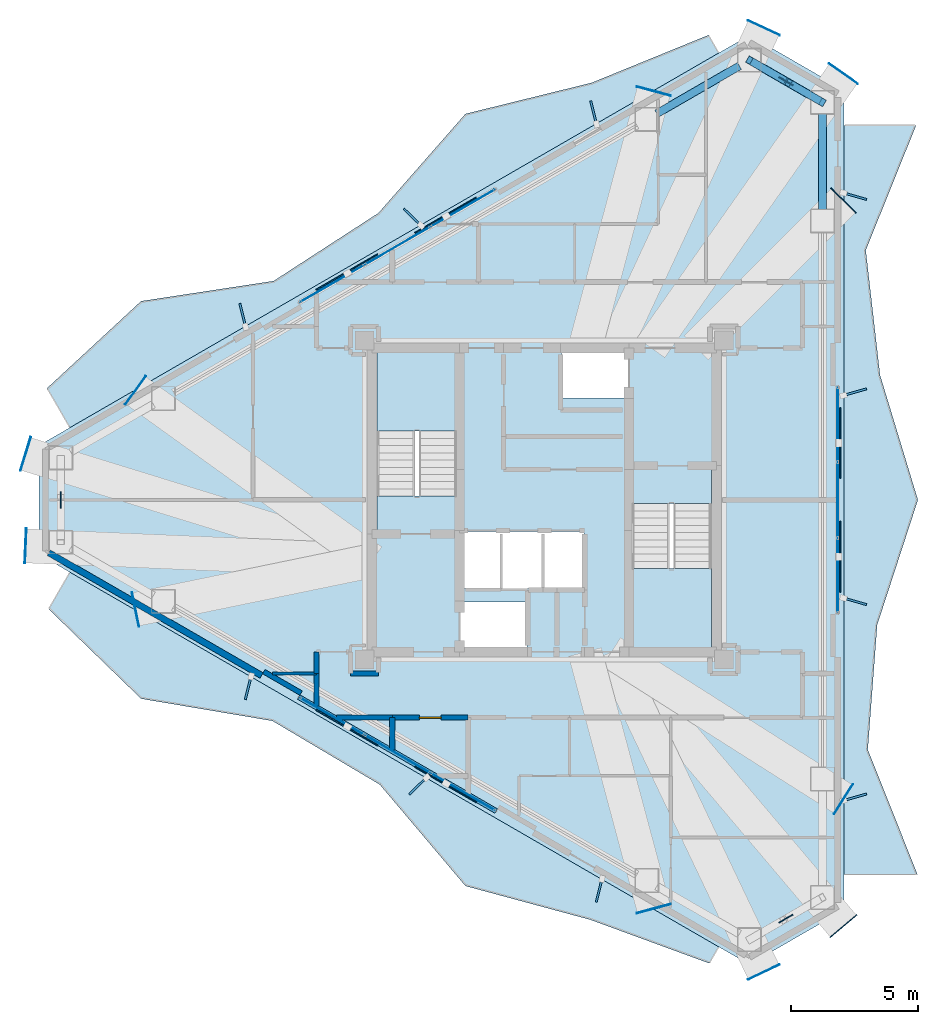
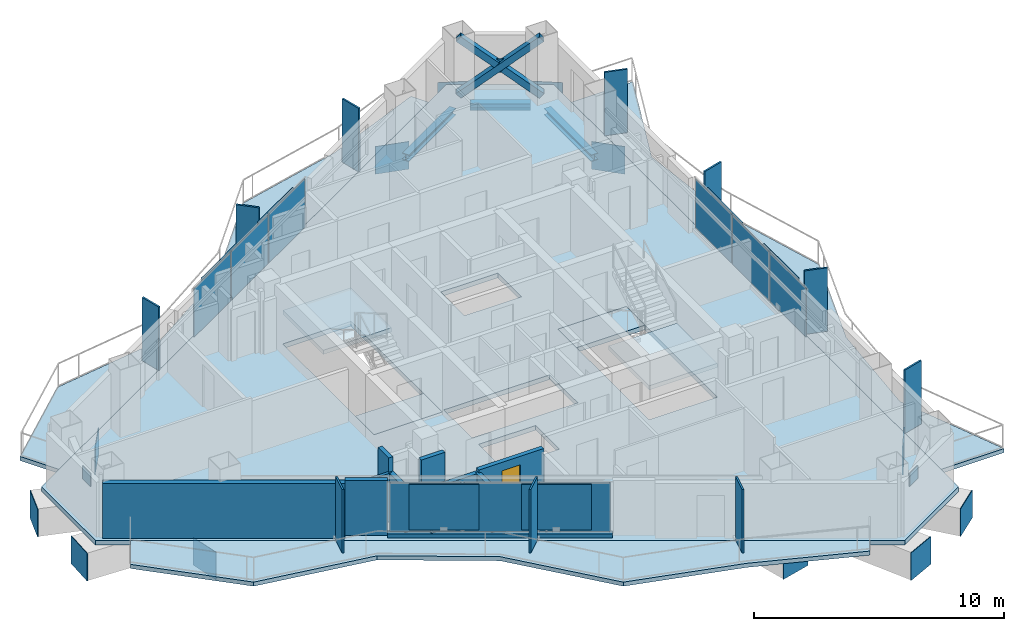
# One storey, part 13 of 19: 40 plates, 10 walls, 8 slabs, 3 beams, 3 members, 1 door, 1 opening, 5 elements without a shape of their own.
"""IFC4 building model written with IfcOpenShell, lengths in metres."""

import ifcopenshell
import ifcopenshell.guid

model = None  # the IFC model being written
_history = None  # IfcOwnerHistory: only IFC2X3 demands one
_inside = {}  # id of a spatial element -> (the spatial element, [elements in it])
_under = {}  # id of a project, library or spatial element -> (it, [spatial elements below it])
_declared = {}  # id of a project -> (the project, [libraries it declares])
_typed = {}  # id of a type object -> (the type object, [elements of that type])
_made_of = {}  # id of a material, layer set ... -> (it, [elements and type objects made of it])


def new_model(schema):
    """Start an empty IFC model of exactly this schema.

    Asked for "IFC4X3", IfcOpenShell would pick the latest addendum, in which some entities
    have other attributes; the version numbers below select the first issue.
    IFC2X3 requires an IfcOwnerHistory on every rooted entity: one is made here for all.
    """
    global model, _history
    if schema == "IFC4X3":
        model = ifcopenshell.file(schema_version=(4, 3, 0, 0))
    else:
        model = ifcopenshell.file(schema=schema)
    _inside.clear()
    _under.clear()
    _declared.clear()
    _typed.clear()
    _made_of.clear()
    _history = None
    if model.schema == "IFC2X3":
        org = make("IfcOrganization", Name="unknown")
        user = make(
            "IfcPersonAndOrganization",
            ThePerson=make("IfcPerson", FamilyName="unknown"),
            TheOrganization=org,
        )
        app = make(
            "IfcApplication",
            ApplicationDeveloper=org,
            Version="unknown",
            ApplicationFullName="unknown",
            ApplicationIdentifier="unknown",
        )
        _history = make(
            "IfcOwnerHistory",
            OwningUser=user,
            OwningApplication=app,
            ChangeAction="ADDED",
            CreationDate=0,
        )
    return model


def make(cls, **values):
    """One entity of the class cls with the attributes given. An attribute that is None is left unset."""
    return model.create_entity(
        cls, **{name: value for name, value in values.items() if value is not None}
    )


def rooted(cls, **values):
    """An entity with a GlobalId (a new one), such as an element, a storey or a relation."""
    return make(cls, GlobalId=ifcopenshell.guid.new(), OwnerHistory=_history, **values)


def si_unit(unit_type, name, prefix=None):
    """IfcSIUnit, for example si_unit("LENGTHUNIT", "METRE", prefix="MILLI")."""
    return make("IfcSIUnit", UnitType=unit_type, Prefix=prefix, Name=name)


def assignment(units):
    """IfcUnitAssignment: the units of a project."""
    return None if units is None else make("IfcUnitAssignment", Units=units)


def point(xyz):
    """IfcCartesianPoint."""
    return None if xyz is None else make("IfcCartesianPoint", Coordinates=xyz)


def direction(xyz):
    """IfcDirection."""
    return None if xyz is None else make("IfcDirection", DirectionRatios=xyz)


def frame(location, z_axis=None, x_axis=None):
    """IfcAxis2Placement3D, a coordinate frame: its origin and axes. An axis left out is left unset."""
    return make(
        "IfcAxis2Placement3D",
        Location=point(location),
        Axis=direction(z_axis),
        RefDirection=direction(x_axis),
    )


def frame_2d(location, x_axis=None):
    """IfcAxis2Placement2D, a coordinate frame in the plane: its origin and x axis."""
    return make(
        "IfcAxis2Placement2D", Location=point(location), RefDirection=direction(x_axis)
    )


def origin():
    """The frame at (0, 0, 0) with its axes left unset."""
    return frame((0.0, 0.0, 0.0))


def origin_2d():
    """The frame at (0, 0) in the plane with its x axis left unset."""
    return frame_2d((0.0, 0.0))


def place(relative_to, where):
    """IfcLocalPlacement: puts the frame where relative to a parent placement (None: the world)."""
    return make(
        "IfcLocalPlacement", PlacementRelTo=relative_to, RelativePlacement=where
    )


def context(
    kind, dimensions, precision=None, world=None, true_north=None, identifier=None
):
    """IfcGeometricRepresentationContext, for example the 3D "Model" context."""
    return make(
        "IfcGeometricRepresentationContext",
        ContextIdentifier=identifier,
        ContextType=kind,
        CoordinateSpaceDimension=dimensions,
        Precision=precision,
        WorldCoordinateSystem=world,
        TrueNorth=true_north,
    )


def subcontext(parent, identifier, kind, view, scale=None):
    """IfcGeometricRepresentationSubContext, for example "Body" below "Model"."""
    return make(
        "IfcGeometricRepresentationSubContext",
        ContextIdentifier=identifier,
        ContextType=kind,
        ParentContext=parent,
        TargetScale=scale,
        TargetView=view,
    )


def project(units=None, contexts=None):
    """IfcProject with its units and contexts."""
    return rooted(
        "IfcProject",
        Name="project",
        RepresentationContexts=contexts,
        UnitsInContext=assignment(units),
    )


def spatial(cls, under=None, at=None, **own):
    """A site, building, storey or space (cls), placed at a placement, below another one or the project."""
    s = rooted(cls, ObjectPlacement=at, **own)
    if under is not None:
        _under.setdefault(under.id(), (under, []))[1].append(s)
    return s


def polyline(points):
    """IfcPolyline through the points."""
    return make("IfcPolyline", Points=[point(p) for p in points])


def profile(cls, at=None, kind="AREA", **sizes):
    """A parametric profile (cls). Its sizes go by their IFC names, for example OverallWidth=200.0."""
    return make(cls, ProfileType=kind, Position=at, **sizes)


def rectangle(**sizes):
    """IfcRectangleProfileDef."""
    return profile("IfcRectangleProfileDef", **sizes)


def hollow_rectangle(**sizes):
    """IfcRectangleHollowProfileDef."""
    return profile("IfcRectangleHollowProfileDef", **sizes)


def i_section(**sizes):
    """IfcIShapeProfileDef."""
    return profile("IfcIShapeProfileDef", **sizes)


def outline(outer, holes=None, kind="AREA"):
    """IfcArbitraryClosedProfileDef: a profile drawn as a closed curve; with holes, ...WithVoids."""
    if holes is None:
        return make("IfcArbitraryClosedProfileDef", ProfileType=kind, OuterCurve=outer)
    return make(
        "IfcArbitraryProfileDefWithVoids",
        ProfileType=kind,
        OuterCurve=outer,
        InnerCurves=holes,
    )


def extrude(swept, where, along, depth):
    """IfcExtrudedAreaSolid: the profile swept, set in the frame where, extruded along a direction by depth."""
    return make(
        "IfcExtrudedAreaSolid",
        SweptArea=swept,
        Position=where,
        ExtrudedDirection=direction(along),
        Depth=depth,
    )


def shape(context_of_items, identifier, shape_type, items):
    """IfcShapeRepresentation: the items that make up one representation, for example the "Body"."""
    return make(
        "IfcShapeRepresentation",
        ContextOfItems=context_of_items,
        RepresentationIdentifier=identifier,
        RepresentationType=shape_type,
        Items=items,
    )


def material(Name=None, Category=None):
    """IfcMaterial."""
    return make("IfcMaterial", Name=Name, Category=Category)


def layer(
    of_material, thickness, ventilated=None, Name=None, Category=None, Priority=None
):
    """IfcMaterialLayer: one layer of a wall or slab, of a material (None: an air gap)."""
    return make(
        "IfcMaterialLayer",
        Material=of_material,
        LayerThickness=thickness,
        IsVentilated=ventilated,
        Name=Name,
        Category=Category,
        Priority=Priority,
    )


def layer_set(layers, Name=None):
    """IfcMaterialLayerSet."""
    return make("IfcMaterialLayerSet", MaterialLayers=layers, LayerSetName=Name)


def material_profile(
    of_material, cross_section, Name=None, Category=None, Priority=None
):
    """IfcMaterialProfile: a cross section and its material."""
    return make(
        "IfcMaterialProfile",
        Name=Name,
        Material=of_material,
        Profile=cross_section,
        Priority=Priority,
        Category=Category,
    )


def profile_set(profiles, Name=None, composite=None):
    """IfcMaterialProfileSet."""
    return make(
        "IfcMaterialProfileSet",
        Name=Name,
        MaterialProfiles=profiles,
        CompositeProfile=composite,
    )


def made_of(thing, what):
    """Note that an element or type object is made of a material, layer set ...; save() writes the relation."""
    if what is not None:
        _made_of.setdefault(what.id(), (what, []))[1].append(thing)
    return thing


def type_object(cls, material=None, **own):
    """A type object (cls), such as IfcWallType, which elements share."""
    return made_of(rooted(cls, **own), material)


def element(
    cls,
    number,
    at=None,
    inside=None,
    cuts=None,
    type_object=None,
    material=None,
    context=None,
    identifier="Body",
    shape_type=None,
    held_by="IfcProductDefinitionShape",
    body=None,
    shapes=None,
    **own,
):
    """One element of the class cls, such as IfcWall. Its Tag is "e" and its number.

    at: its placement. inside: the storey or other place that contains it. cuts: it is an
    opening in that element (IfcRelVoidsElement). A single representation is given by context,
    identifier, shape_type and body (its items); several are given by shapes. held_by: the class
    of the entity that holds the representations. save() writes the other relations.
    """
    e = rooted(cls, Tag="e%d" % number, ObjectPlacement=at, **own)
    if body is not None:
        shapes = [shape(context, identifier, shape_type, body)]
    if shapes is not None:
        e.Representation = make(held_by, Representations=shapes)
    if inside is not None:
        _inside.setdefault(inside.id(), (inside, []))[1].append(e)
    if cuts is not None:
        rooted(
            "IfcRelVoidsElement", RelatingBuildingElement=cuts, RelatedOpeningElement=e
        )
    if type_object is not None:
        _typed.setdefault(type_object.id(), (type_object, []))[1].append(e)
    return made_of(e, material)


def fill(opening, filler):
    """IfcRelFillsElement: the door or window that sits in an opening."""
    return rooted(
        "IfcRelFillsElement",
        RelatingOpeningElement=opening,
        RelatedBuildingElement=filler,
    )


def aggregate(whole, parts):
    """IfcRelAggregates: a whole, such as a stair, and the parts it consists of."""
    return rooted("IfcRelAggregates", RelatingObject=whole, RelatedObjects=parts)


def save(model, path):
    """Write the relations noted so far, then the file.

    IfcRelAggregates (storeys below a building ...), IfcRelContainedInSpatialStructure (elements
    in a storey), IfcRelDefinesByType, IfcRelAssociatesMaterial and IfcRelDeclares: one each for
    every whole, place, type object, material and project.
    """
    for whole, parts in _under.values():
        aggregate(whole, parts)
    for where, things in _inside.values():
        rooted(
            "IfcRelContainedInSpatialStructure",
            RelatedElements=things,
            RelatingStructure=where,
        )
    for kind, things in _typed.values():
        rooted("IfcRelDefinesByType", RelatedObjects=things, RelatingType=kind)
    for what, things in _made_of.values():
        rooted("IfcRelAssociatesMaterial", RelatedObjects=things, RelatingMaterial=what)
    for by, libraries in _declared.values():
        rooted("IfcRelDeclares", RelatingContext=by, RelatedDefinitions=libraries)
    model.write(path)


model = new_model("IFC4")

# Units and contexts
model_context = context("Model", 3, precision=1e-05, world=origin(), true_north=direction((0.0, 1.0)))
body_context = subcontext(model_context, "Body", "Model", "MODEL_VIEW")
ifc_project = project(units=[si_unit("LENGTHUNIT", "METRE"), si_unit("AREAUNIT", "SQUARE_METRE"), si_unit("VOLUMEUNIT", "CUBIC_METRE"), si_unit("PLANEANGLEUNIT", "RADIAN"), si_unit("MASSUNIT", "GRAM", prefix="KILO")], contexts=[model_context])

# Site, building, storey
site_placement = place(None, origin())
site = spatial("IfcSite", under=ifc_project, at=site_placement, CompositionType="ELEMENT")
building_placement = place(site_placement, origin())
building = spatial("IfcBuilding", under=site, at=building_placement, Name="Mersakhor Tower and Convention Hall", CompositionType="ELEMENT")
storey_placement = place(building_placement, frame((0.0, 0.0, 175.5)))
storey = spatial("IfcBuildingStorey", under=building, at=storey_placement, Name="L48", CompositionType="ELEMENT", Elevation=175.5)

# Beams
ifc_material_1 = material(Name="Steel S355", Category="steel")
ifc_material_profile_1 = material_profile(ifc_material_1, i_section(OverallWidth=0.30908203125, OverallDepth=0.320556640625, WebThickness=0.013916015625, FlangeThickness=0.021728515625, at=origin_2d()), Name="UC 305x305x137")
ifc_profile_set_1 = profile_set([ifc_material_profile_1], Name="Steel S355")
beam_type = type_object("IfcBeamType", Name="BM-SPD-UC305", PredefinedType="SPANDREL", material=ifc_profile_set_1)
beam_1_placement = place(storey_placement, frame((33.44580078125, 42.005126953125, -0.39013671875), z_axis=(0.866046450459, 0.499963544319, 0.0), x_axis=(-0.499963544319, 0.866046450459, 0.0)))
element("IfcBeam", 1, at=beam_1_placement, inside=storey, type_object=beam_type, Name="L48 Perimeter Spandrel Beam SPB-03", PredefinedType="SPANDREL", context=body_context, shape_type="SweptSolid", body=[
    extrude(i_section(OverallWidth=0.30908203125, OverallDepth=0.320556640625, WebThickness=0.013916015625, FlangeThickness=0.021728515625, at=origin_2d()), origin(), (0.0, 0.0, 1.0), 3.769287109375),
])
beam_2_placement = place(storey_placement, frame((37.498046875, 43.8896484375, -0.39013671875), z_axis=(0.86605626798, -0.499946537834, 0.0), x_axis=(0.499946537834, 0.86605626798, 0.0)))
element("IfcBeam", 2, at=beam_2_placement, inside=storey, type_object=beam_type, Name="L48 Perimeter Spandrel Beam SPB-04", PredefinedType="SPANDREL", context=body_context, shape_type="SweptSolid", body=[
    extrude(i_section(OverallWidth=0.30908203125, OverallDepth=0.320556640625, WebThickness=0.013916015625, FlangeThickness=0.021728515625, at=origin_2d()), origin(), (0.0, 0.0, 1.0), 2.420654296875),
])
beam_3_placement = place(storey_placement, frame((39.98828125, 41.9970703125, -0.39013671875), z_axis=(0.0, -1.0, 0.0), x_axis=(1.0, 0.0, 0.0)))
element("IfcBeam", 3, at=beam_3_placement, inside=storey, type_object=beam_type, Name="L48 Perimeter Spandrel Beam SPB-05", PredefinedType="SPANDREL", context=body_context, shape_type="SweptSolid", body=[
    extrude(i_section(OverallWidth=0.30908203125, OverallDepth=0.320556640625, WebThickness=0.013916015625, FlangeThickness=0.021728515625, at=origin_2d()), origin(), (0.0, 0.0, 1.0), 3.769287109375),
])

# Members
ifc_material_2 = material(Name="Steel S355", Category="steel")
ifc_material_profile_2 = material_profile(ifc_material_2, hollow_rectangle(XDim=0.300048828125, YDim=0.300048828125, WallThickness=0.01611328125, at=origin_2d()), Name="SHS 300x300x16")
ifc_profile_set_2 = profile_set([ifc_material_profile_2], Name="Steel S355")
member_type = type_object("IfcMemberType", Name="MB-BRC-SHS300", PredefinedType="BRACE", material=ifc_profile_set_2)
member_placement = place(storey_placement, frame((37.10400390625, 44.1171875, 0.14990234375), z_axis=(0.665824923443, -0.384424564314, 0.639448923429), x_axis=(0.50001011158, 0.866019565782, 0.0)))
element("IfcMember", 4, at=member_placement, inside=storey, type_object=member_type, Name="L48 Chamfer Braced Frame Diagonal CB-1A", PredefinedType="BRACE", context=body_context, shape_type="SweptSolid", body=[
    extrude(hollow_rectangle(XDim=0.300048828125, YDim=0.300048828125, WallThickness=0.01611328125, at=origin_2d()), origin(), (0.0, 0.0, 1.0), 4.331787109375),
])
for number, where, z_axis, x_axis, name in (
    (5, (39.98828125, 42.451904296875, 0.14990234375), (-0.665711462011, 0.384476371073, 0.639535901599), (-0.500124558158, -0.865953478154, 0.0), "L48 Chamfer Braced Frame Diagonal CB-1B Lower Half"),
    (6, (38.439208984375, 43.34619140625, 1.6376953125), (-0.665831077073, 0.384475140135, 0.639412107659), (-0.50005597947, -0.86599308161, 0.0), "L48 Chamfer Braced Frame Diagonal CB-1B Upper Half"),
):
    element("IfcMember", number, at=place(storey_placement, frame(where, z_axis=z_axis, x_axis=x_axis)), inside=storey, type_object=member_type, Name=name, PredefinedType="BRACE", context=body_context, shape_type="SweptSolid", body=[
        extrude(hollow_rectangle(XDim=0.300048828125, YDim=0.300048828125, WallThickness=0.01611328125, at=origin_2d()), origin(), (0.0, 0.0, 1.0), 2.00537109375),
    ])

# Curtain wall, plates
ifc_material_3 = material(Name="Dark solar low-E aluminium curtain wall", Category="aluminium")
ifc_layer_1 = layer(ifc_material_3, 0.169921875)
ifc_layer_set_1 = layer_set([ifc_layer_1], Name="Dark solar low-E aluminium curtain wall")
curtain_wall_type = type_object("IfcCurtainWallType", Name="CW-SYS-02", PredefinedType="USERDEFINED", material=ifc_layer_set_1)
curtain_wall_1_placement = place(storey_placement, origin())
curtain_wall_1 = element("IfcCurtainWall", 7, at=curtain_wall_1_placement, inside=storey, type_object=curtain_wall_type, Name="L48 Dark-Glass Curtain Wall F1-B2", ObjectType="CURTAIN WALL", PredefinedType="USERDEFINED")
ifc_material_4 = material(Name="Dark solar double glazing", Category="glass")
ifc_layer_2 = layer(ifc_material_4, 0.028076171875)
ifc_layer_set_2 = layer_set([ifc_layer_2], Name="Dark solar double glazing")
plate_type_1 = type_object("IfcPlateType", Name="CWP-GLZ-28", PredefinedType="CURTAIN_PANEL", material=ifc_layer_set_2)
plate_1_placement = place(storey_placement, frame((20.624267578125, 35.29541015625, 0.260009765625), z_axis=(0.0, 0.0, 1.0), x_axis=(0.86602088627, 0.500007824483, 0.0)))
plate_1 = element("IfcPlate", 8, at=plate_1_placement, type_object=plate_type_1, Name="CW-02 panel 1.1", PredefinedType="CURTAIN_PANEL", context=body_context, shape_type="SweptSolid", body=[
    extrude(rectangle(XDim=2.88720703125, YDim=0.028076171875, at=origin_2d()), origin(), (0.0, 0.0, 1.0), 2.3701171875),
])
plate_2_placement = place(storey_placement, frame((23.205810546875, 36.785888671875, 0.260009765625), z_axis=(0.0, 0.0, 1.0), x_axis=(0.86602088627, 0.500007824483, 0.0)))
plate_2 = element("IfcPlate", 9, at=plate_2_placement, type_object=plate_type_1, Name="CW-02 panel 2.1", PredefinedType="CURTAIN_PANEL", context=body_context, shape_type="SweptSolid", body=[
    extrude(rectangle(XDim=2.924560546875, YDim=0.028076171875, at=origin_2d()), origin(), (0.0, 0.0, 1.0), 2.3701171875),
])
plate_3_placement = place(storey_placement, frame((25.787353515625, 38.2763671875, 0.260009765625), z_axis=(0.0, 0.0, 1.0), x_axis=(0.86602088627, 0.500007824483, 0.0)))
plate_3 = element("IfcPlate", 10, at=plate_3_placement, type_object=plate_type_1, Name="CW-02 panel 3.1", PredefinedType="CURTAIN_PANEL", context=body_context, shape_type="SweptSolid", body=[
    extrude(rectangle(XDim=2.88720703125, YDim=0.028076171875, at=origin_2d()), origin(), (0.0, 0.0, 1.0), 2.3701171875),
])
aggregate(curtain_wall_1, [plate_1, plate_2, plate_3])

curtain_wall_2_placement = place(storey_placement, origin())
curtain_wall_2 = element("IfcCurtainWall", 11, at=curtain_wall_2_placement, inside=storey, type_object=curtain_wall_type, Name="L48 Dark-Glass Curtain Wall F2-B2", ObjectType="CURTAIN WALL", PredefinedType="USERDEFINED")
plate_4_placement = place(storey_placement, frame((40.58837890625, 29.73095703125, 0.260009765625), z_axis=(0.0, 0.0, 1.0), x_axis=(0.0, -1.0, 0.0)))
plate_4 = element("IfcPlate", 12, at=plate_4_placement, type_object=plate_type_1, Name="CW-02 panel 1.1", PredefinedType="CURTAIN_PANEL", context=body_context, shape_type="SweptSolid", body=[
    extrude(rectangle(XDim=2.88720703125, YDim=0.028076171875, at=origin_2d()), origin(), (0.0, 0.0, 1.0), 2.3701171875),
])
plate_5_placement = place(storey_placement, frame((40.58837890625, 26.75, 0.260009765625), z_axis=(0.0, 0.0, 1.0), x_axis=(0.0, -1.0, 0.0)))
plate_5 = element("IfcPlate", 13, at=plate_5_placement, type_object=plate_type_1, Name="CW-02 panel 2.1", PredefinedType="CURTAIN_PANEL", context=body_context, shape_type="SweptSolid", body=[
    extrude(rectangle(XDim=2.924560546875, YDim=0.028076171875, at=origin_2d()), origin(), (0.0, 0.0, 1.0), 2.3701171875),
])
plate_6_placement = place(storey_placement, frame((40.58837890625, 23.76904296875, 0.260009765625), z_axis=(0.0, 0.0, 1.0), x_axis=(0.0, -1.0, 0.0)))
plate_6 = element("IfcPlate", 14, at=plate_6_placement, type_object=plate_type_1, Name="CW-02 panel 3.1", PredefinedType="CURTAIN_PANEL", context=body_context, shape_type="SweptSolid", body=[
    extrude(rectangle(XDim=2.88720703125, YDim=0.028076171875, at=origin_2d()), origin(), (0.0, 0.0, 1.0), 2.3701171875),
])
aggregate(curtain_wall_2, [plate_4, plate_5, plate_6])

curtain_wall_3_placement = place(storey_placement, origin())
curtain_wall_3 = element("IfcCurtainWall", 15, at=curtain_wall_3_placement, inside=storey, type_object=curtain_wall_type, Name="L48 Dark-Glass Curtain Wall F3-B2", ObjectType="CURTAIN WALL", PredefinedType="USERDEFINED")
plate_7_placement = place(storey_placement, frame((25.787353515625, 15.2236328125, 0.260009765625), z_axis=(0.0, 0.0, 1.0), x_axis=(-0.86602088627, 0.500007824483, 0.0)))
plate_7 = element("IfcPlate", 16, at=plate_7_placement, type_object=plate_type_1, Name="CW-02 panel 1.1", PredefinedType="CURTAIN_PANEL", context=body_context, shape_type="SweptSolid", body=[
    extrude(rectangle(XDim=2.88720703125, YDim=0.028076171875, at=origin_2d()), origin(), (0.0, 0.0, 1.0), 2.3701171875),
])
plate_8_placement = place(storey_placement, frame((23.205810546875, 16.714111328125, 0.260009765625), z_axis=(0.0, 0.0, 1.0), x_axis=(-0.86602088627, 0.500007824483, 0.0)))
plate_8 = element("IfcPlate", 17, at=plate_8_placement, type_object=plate_type_1, Name="CW-02 panel 2.1", PredefinedType="CURTAIN_PANEL", context=body_context, shape_type="SweptSolid", body=[
    extrude(rectangle(XDim=2.924560546875, YDim=0.028076171875, at=origin_2d()), origin(), (0.0, 0.0, 1.0), 2.3701171875),
])
plate_9_placement = place(storey_placement, frame((20.624267578125, 18.20458984375, 0.260009765625), z_axis=(0.0, 0.0, 1.0), x_axis=(-0.86602088627, 0.500007824483, 0.0)))
plate_9 = element("IfcPlate", 18, at=plate_9_placement, type_object=plate_type_1, Name="CW-02 panel 3.1", PredefinedType="CURTAIN_PANEL", context=body_context, shape_type="SweptSolid", body=[
    extrude(rectangle(XDim=2.88720703125, YDim=0.028076171875, at=origin_2d()), origin(), (0.0, 0.0, 1.0), 2.3701171875),
])
aggregate(curtain_wall_3, [plate_7, plate_8, plate_9])

# Plates
ifc_material_5 = material(Name="Steel S355", Category="steel")
ifc_layer_3 = layer(ifc_material_5, 0.031982421875)
ifc_layer_set_3 = layer_set([ifc_layer_3], Name="Steel S355")
plate_type_2 = type_object("IfcPlateType", Name="PL-CAP-32", PredefinedType="SHEET", material=ifc_layer_set_3)
for number, where, z_axis, x_axis, name in (
    (19, (8.5185546875, 28.568603515625, -1.580078125), (0.0, 0.0, 1.0), (0.955587503022, -0.294707522925, 0.0), "L48 Step Transfer End Cap Plate SCEP-01"),
    (20, (12.861083984375, 31.0791015625, -1.580078125), (0.0, 0.0, 1.0), (0.811369990919, -0.584532922799, 0.0), "L48 Step Transfer End Cap Plate SCEP-02"),
    (21, (33.326416015625, 42.890625, -1.580078125), (0.0, 0.0, 1.0), (-0.25898762702, -0.965880639132, 0.0), "L48 Step Transfer End Cap Plate SCEP-03"),
    (22, (37.6689453125, 45.3955078125, -1.580078125), (0.0, 0.0, 1.0), (-0.421668946893, -0.906749854826, 0.0), "L48 Step Transfer End Cap Plate SCEP-04"),
    (23, (40.81298828125, 43.580322265625, -1.580078125), (0.0, 0.0, 1.0), (-0.574433935711, -0.818550947409, 0.0), "L48 Step Transfer End Cap Plate SCEP-05"),
    (24, (40.815185546875, 38.56689453125, -1.580078125), (0.0, 0.0, 1.0), (-0.707106781187, -0.707106781187, 0.0), "L48 Step Transfer End Cap Plate SCEP-06"),
    (25, (40.8173828125, 14.935791015625, -1.580078125), (0.0, 0.0, 1.0), (-0.844514912895, 0.535532036295, 0.0), "L48 Step Transfer End Cap Plate SCEP-07"),
    (26, (40.814208984375, 9.92041015625, -1.580078125), (0.0, 0.0, 1.0), (-0.645990760607, 0.763345228065, 0.0), "L48 Step Transfer End Cap Plate SCEP-08"),
    (27, (37.669189453125, 8.1044921875, -1.580078125), (0.0, 0.0, 1.0), (-0.429723278732, 0.902960632428, 0.0), "L48 Step Transfer End Cap Plate SCEP-09"),
    (28, (33.326416015625, 10.609375, -1.580078125), (0.0, 0.0, 1.0), (-0.25898762702, 0.965880639132, 0.0), "L48 Step Transfer End Cap Plate SCEP-10"),
    (29, (12.8583984375, 22.42724609375, -1.580078125), (0.0, 0.0, 1.0), (0.979469831173, 0.20159079796, 0.0), "L48 Step Transfer End Cap Plate SCEP-11"),
    (30, (8.517822265625, 24.93701171875, -1.580078125), (0.0, 0.0, 1.0), (0.999078430194, -0.042921909558, 0.0), "L48 Step Transfer End Cap Plate SCEP-12"),
):
    element("IfcPlate", number, at=place(storey_placement, frame(where, z_axis=z_axis, x_axis=x_axis)), inside=storey, type_object=plate_type_2, Name=name, PredefinedType="SHEET", context=body_context, shape_type="SweptSolid", body=[
        extrude(rectangle(XDim=0.031982421875, YDim=1.389892578125, at=origin_2d()), origin(), (0.0, 0.0, 1.0), 1.35009765625),
    ])
ifc_material_6 = material(Name="Ceramic-clad aluminium Zone 4 terracotta-coral", Category="masonry")
ifc_material_7 = material(Name="Ceramic-clad aluminium Zone 1 cobalt-slate", Category="masonry")
ifc_layer_4 = layer(ifc_material_7, 0.080078125)
ifc_layer_set_4 = layer_set([ifc_layer_4], Name="Ceramic-clad aluminium Zone 1 cobalt-slate")
plate_type_3 = type_object("IfcPlateType", Name="PL-FIN-80", PredefinedType="USERDEFINED", material=ifc_layer_set_4)
for number, where, z_axis, x_axis, name in (
    (31, (17.09326171875, 34.049560546875, 0.0), (0.0, 0.0, 1.0), (-0.2419218956, 0.970295726276, 0.0), "L48 Zone 4 Coloured Brise-Soleil Fin F1-1"),
    (32, (23.794677734375, 37.918701171875, 0.0), (0.0, 0.0, 1.0), (-0.719339800339, 0.694658370459, 0.0), "L48 Zone 4 Coloured Brise-Soleil Fin F1-2"),
    (33, (30.94970703125, 42.049560546875, 0.0), (0.0, 0.0, 1.0), (-0.2419218956, 0.970295726276, 0.0), "L48 Zone 4 Coloured Brise-Soleil Fin F1-3"),
    (34, (41.27490234375, 38.7451171875, 0.0), (0.0, 0.0, 1.0), (0.961261695938, -0.275637355817, 0.0), "L48 Zone 4 Coloured Brise-Soleil Fin F2-1"),
    (35, (41.27490234375, 31.007080078125, 0.0), (0.0, 0.0, 1.0), (0.961261695938, 0.275637355817, 0.0), "L48 Zone 4 Coloured Brise-Soleil Fin F2-2"),
    (36, (41.27490234375, 22.7451171875, 0.0), (0.0, 0.0, 1.0), (0.961261695938, -0.275637355817, 0.0), "L48 Zone 4 Coloured Brise-Soleil Fin F2-3"),
    (37, (41.27490234375, 15.007080078125, 0.0), (0.0, 0.0, 1.0), (0.961261695938, 0.275637355817, 0.0), "L48 Zone 4 Coloured Brise-Soleil Fin F2-4"),
    (38, (31.16796875, 11.324462890625, 0.0), (0.0, 0.0, 1.0), (-0.2419218956, -0.970295726276, 0.0), "L48 Zone 4 Coloured Brise-Soleil Fin F3-1"),
    (39, (24.012939453125, 15.455322265625, 0.0), (0.0, 0.0, 1.0), (-0.719339800339, -0.694658370459, 0.0), "L48 Zone 4 Coloured Brise-Soleil Fin F3-2"),
    (40, (17.3115234375, 19.324462890625, 0.0), (0.0, 0.0, 1.0), (-0.2419218956, -0.970295726276, 0.0), "L48 Zone 4 Coloured Brise-Soleil Fin F3-3"),
):
    element("IfcPlate", number, at=place(storey_placement, frame(where, z_axis=z_axis, x_axis=x_axis)), inside=storey, type_object=plate_type_3, material=ifc_material_6, Name=name, ObjectType="FIN", PredefinedType="USERDEFINED", context=body_context, shape_type="SweptSolid", body=[
        extrude(rectangle(XDim=0.949951171875, YDim=0.080078125, at=origin_2d()), origin(), (0.0, 0.0, 1.0), 3.10009765625),
    ])
ifc_material_8 = material(Name="Steel S460", Category="steel")
ifc_layer_5 = layer(ifc_material_8, 0.0400390625)
ifc_layer_set_5 = layer_set([ifc_layer_5], Name="Steel S460")
plate_type_4 = type_object("IfcPlateType", Name="PL-GUSSET-40", PredefinedType="SHEET", material=ifc_layer_set_5)
for number, where, z_axis, x_axis, name in (
    (41, (38.54638671875, 43.28466796875, 1.21484375), (0.0, 0.0, 1.0), (-0.866025403784, 0.5, 0.0), "L48 X-Brace Crossing Gusset Node Plate"),
    (42, (38.54638671875, 10.21533203125, 1.21484375), (0.0, 0.0, 1.0), (0.866025403784, 0.5, 0.0), "L48 X-Brace Crossing Gusset Node Plate"),
    (43, (9.907470703125, 26.75, 1.21484375), (0.0, 0.0, 1.0), (0.0, -1.0, 0.0), "L48 X-Brace Crossing Gusset Node Plate"),
):
    element("IfcPlate", number, at=place(storey_placement, frame(where, z_axis=z_axis, x_axis=x_axis)), inside=storey, type_object=plate_type_4, Name=name, PredefinedType="SHEET", context=body_context, shape_type="SweptSolid", body=[
        extrude(rectangle(XDim=0.639892578125, YDim=0.0400390625, at=origin_2d()), origin(), (0.0, 0.0, 1.0), 0.639892578125),
    ])
ifc_material_9 = material(Name="Perforated ceramic cobogo solar screen", Category="aluminium")
ifc_layer_6 = layer(ifc_material_9, 0.048095703125)
ifc_layer_set_6 = layer_set([ifc_layer_6], Name="Perforated ceramic cobogo solar screen")
plate_type_5 = type_object("IfcPlateType", Name="PL-SCR-48", PredefinedType="USERDEFINED", material=ifc_layer_set_6)
for number, where, z_axis, x_axis, name in (
    (44, (21.21044921875, 35.742431640625, 0.39990234375), (0.0, 0.0, 1.0), (0.866025403784, 0.5, 0.0), "L48 Perforated Ceramic Solar Screen F1-1"),
    (45, (25.107177734375, 37.9921875, 0.39990234375), (0.0, 0.0, 1.0), (0.866025403784, 0.5, 0.0), "L48 Perforated Ceramic Solar Screen F1-2"),
    (46, (40.682373046875, 28.999755859375, 0.39990234375), (0.0, 0.0, 1.0), (0.0, -1.0, 0.0), "L48 Perforated Ceramic Solar Screen F2-1"),
    (47, (40.682373046875, 24.500244140625, 0.39990234375), (0.0, 0.0, 1.0), (0.0, -1.0, 0.0), "L48 Perforated Ceramic Solar Screen F2-2"),
    (48, (25.107177734375, 15.5078125, 0.39990234375), (0.0, 0.0, 1.0), (-0.866025403784, 0.5, 0.0), "L48 Perforated Ceramic Solar Screen F3-1"),
    (49, (21.21044921875, 17.757568359375, 0.39990234375), (0.0, 0.0, 1.0), (-0.866025403784, 0.5, 0.0), "L48 Perforated Ceramic Solar Screen F3-2"),
):
    element("IfcPlate", number, at=place(storey_placement, frame(where, z_axis=z_axis, x_axis=x_axis)), inside=storey, type_object=plate_type_5, Name=name, ObjectType="SCREEN", PredefinedType="USERDEFINED", context=body_context, shape_type="SweptSolid", body=[
        extrude(rectangle(XDim=2.800048828125, YDim=0.048095703125, at=origin_2d()), origin(), (0.0, 0.0, 1.0), 2.239990234375),
    ])

# Slabs
ifc_material_10 = material(Name="Concrete C45/55", Category="concrete")
ifc_layer_7 = layer(ifc_material_10, 0.199951171875)
ifc_layer_set_7 = layer_set([ifc_layer_7], Name="Concrete C45/55")
slab_type_1 = type_object("IfcSlabType", Name="SL-BAL-200", PredefinedType="FLOOR", material=ifc_layer_set_7)
slab_1_placement = place(storey_placement, frame((0.0, 0.0, -0.199951171875)))
element("IfcSlab", 50, at=slab_1_placement, inside=storey, type_object=slab_type_1, Name="L48 Sinusoidal Balcony Slab Face 1", PredefinedType="FLOOR", context=body_context, shape_type="SweptSolid", body=[
    extrude(outline(polyline([(10.27001953125, 29.60595703125), (35.8916015625, 44.398681640625), (35.483154296875, 45.106201171875), (30.875244140625, 43.2255859375), (25.89111328125, 41.99658203125), (22.45703125, 38.082763671875), (18.314453125, 35.39599609375), (13.080078125, 34.60009765625), (9.369873046875, 31.164794921875), (10.27001953125, 29.60595703125)])), origin(), (0.0, 0.0, 1.0), 0.199951171875),
])
slab_2_placement = place(storey_placement, frame((0.0, 0.0, -0.199951171875)))
element("IfcSlab", 51, at=slab_2_placement, inside=storey, type_object=slab_type_1, Name="L48 Sinusoidal Balcony Slab Face 2", PredefinedType="FLOOR", context=body_context, shape_type="SweptSolid", body=[
    extrude(outline(polyline([(40.83837890625, 41.542724609375), (40.83837890625, 11.957275390625), (43.740966796875, 11.957275390625), (41.77880859375, 16.88818359375), (42.150390625, 21.819091796875), (43.75830078125, 26.75), (42.26220703125, 31.680908203125), (41.69873046875, 36.61181640625), (43.686279296875, 41.542724609375), (40.83837890625, 41.542724609375)])), origin(), (0.0, 0.0, 1.0), 0.199951171875),
])
slab_3_placement = place(storey_placement, frame((0.0, 0.0, -0.199951171875)))
element("IfcSlab", 52, at=slab_3_placement, inside=storey, type_object=slab_type_1, Name="L48 Sinusoidal Balcony Slab Face 3", PredefinedType="FLOOR", context=body_context, shape_type="SweptSolid", body=[
    extrude(outline(polyline([(35.8916015625, 9.101318359375), (10.27001953125, 23.89404296875), (9.4296875, 22.438720703125), (13.080078125, 18.89990234375), (18.26806640625, 18.0234375), (22.5087890625, 15.507080078125), (25.89111328125, 11.50341796875), (30.816650390625, 10.1728515625), (35.515625, 8.449951171875), (35.8916015625, 9.101318359375)])), origin(), (0.0, 0.0, 1.0), 0.199951171875),
])
ifc_material_11 = material(Name="Concrete C40/50", Category="concrete")
ifc_layer_8 = layer(ifc_material_11, 0.22998046875)
ifc_layer_set_8 = layer_set([ifc_layer_8], Name="Concrete C40/50")
slab_type_2 = type_object("IfcSlabType", Name="SL-FLR-230", PredefinedType="FLOOR", material=ifc_layer_set_8)
slab_4_placement = place(storey_placement, frame((0.0, 0.0, -0.22998046875)))
element("IfcSlab", 53, at=slab_4_placement, inside=storey, type_object=slab_type_2, Name="L48 ST-1 Structural Stair Floor Landing", PredefinedType="LANDING", context=body_context, shape_type="SweptSolid", body=[
    extrude(outline(polyline([(25.550048828125, 25.39990234375), (25.550048828125, 26.89990234375), (22.39990234375, 26.89990234375), (22.39990234375, 25.39990234375), (25.550048828125, 25.39990234375)])), origin(), (0.0, 0.0, 1.0), 0.22998046875),
])
slab_5_placement = place(storey_placement, frame((0.0, 0.0, -0.22998046875)))
element("IfcSlab", 54, at=slab_5_placement, inside=storey, type_object=slab_type_2, Name="L48 ST-2 Structural Stair Floor Landing", PredefinedType="LANDING", context=body_context, shape_type="SweptSolid", body=[
    extrude(outline(polyline([(32.449951171875, 28.10009765625), (32.449951171875, 26.60009765625), (35.60009765625, 26.60009765625), (35.60009765625, 28.10009765625), (32.449951171875, 28.10009765625)])), origin(), (0.0, 0.0, 1.0), 0.22998046875),
])
slab_6_placement = place(storey_placement, frame((0.0, 0.0, -0.22998046875)))
element("IfcSlab", 55, at=slab_6_placement, inside=storey, type_object=slab_type_2, Name="Tower L48 Structural Floor Slab", PredefinedType="FLOOR", context=body_context, shape_type="SweptSolid", body=[
    extrude(outline(polyline([(9.0576171875, 28.906005859375), (37.10400390625, 45.0986328125), (40.83837890625, 42.942626953125), (40.83837890625, 10.557373046875), (37.10400390625, 8.4013671875), (9.0576171875, 24.593994140625), (9.0576171875, 28.906005859375)]), holes=[polyline([(25.550048828125, 25.39990234375), (25.550048828125, 32.699951171875), (22.39990234375, 32.699951171875), (22.39990234375, 25.39990234375), (25.550048828125, 25.39990234375)]), polyline([(32.449951171875, 28.10009765625), (32.449951171875, 20.800048828125), (35.60009765625, 20.800048828125), (35.60009765625, 28.10009765625), (32.449951171875, 28.10009765625)]), polyline([(25.679931640625, 20.820068359375), (25.679931640625, 22.719970703125), (28.320068359375, 22.719970703125), (28.320068359375, 20.820068359375), (25.679931640625, 20.820068359375)]), polyline([(29.679931640625, 30.780029296875), (29.679931640625, 32.679931640625), (32.320068359375, 32.679931640625), (32.320068359375, 30.780029296875), (29.679931640625, 30.780029296875)]), polyline([(25.679931640625, 23.25), (25.679931640625, 25.5), (30.570068359375, 25.5), (30.570068359375, 23.25), (25.679931640625, 23.25)])]), origin(), (0.0, 0.0, 1.0), 0.22998046875),
])

# Stair, slab
ifc_material_12 = material(Name="Concrete C45/55", Category="concrete")
stair_type = type_object("IfcStairType", Name="ST-TWR-20R", PredefinedType="HALF_TURN_STAIR", material=ifc_material_12)
stair_1_placement = place(storey_placement, origin())
stair_1 = element("IfcStair", 56, at=stair_1_placement, inside=storey, type_object=stair_type, Name="L48 Tower Protected Exit Stair ST-1", PredefinedType="HALF_TURN_STAIR")
ifc_material_13 = material(Name="Concrete C45/55", Category="concrete")
ifc_layer_9 = layer(ifc_material_13, 0.199951171875)
ifc_layer_set_9 = layer_set([ifc_layer_9], Name="Concrete C45/55")
slab_type_3 = type_object("IfcSlabType", Name="SL-LAND-200", PredefinedType="LANDING", material=ifc_layer_set_9)
slab_7_placement = place(storey_placement, frame((0.0, 0.0, 1.449951171875)))
slab_7 = element("IfcSlab", 57, at=slab_7_placement, type_object=slab_type_3, Name="ST-1 landing 1", PredefinedType="LANDING", context=body_context, shape_type="SweptSolid", body=[
    extrude(outline(polyline([(25.550048828125, 29.465087890625), (25.550048828125, 32.699951171875), (22.39990234375, 32.699951171875), (22.39990234375, 29.465087890625), (25.550048828125, 29.465087890625)])), origin(), (0.0, 0.0, 1.0), 0.199951171875),
])
aggregate(stair_1, [slab_7])

stair_2_placement = place(storey_placement, origin())
stair_2 = element("IfcStair", 58, at=stair_2_placement, inside=storey, type_object=stair_type, Name="L48 Tower Protected Exit Stair ST-2", PredefinedType="HALF_TURN_STAIR")
slab_8_placement = place(storey_placement, frame((0.0, 0.0, 1.449951171875)))
slab_8 = element("IfcSlab", 59, at=slab_8_placement, type_object=slab_type_3, Name="ST-2 landing 1", PredefinedType="LANDING", context=body_context, shape_type="SweptSolid", body=[
    extrude(outline(polyline([(32.449951171875, 24.034912109375), (32.449951171875, 20.800048828125), (35.60009765625, 20.800048828125), (35.60009765625, 24.034912109375), (32.449951171875, 24.034912109375)])), origin(), (0.0, 0.0, 1.0), 0.199951171875),
])
aggregate(stair_2, [slab_8])

# Walls
ifc_material_14 = material(Name="Precast concrete C40/50", Category="concrete")
ifc_layer_10 = layer(ifc_material_14, 0.25)
ifc_layer_set_10 = layer_set([ifc_layer_10], Name="Precast concrete C40/50")
wall_type_1 = type_object("IfcWallType", Name="WL-EXT-250", PredefinedType="SOLIDWALL", material=ifc_layer_set_10)
wall_1_placement = place(storey_placement, frame((17.8369140625, 19.81396484375, 0.0), z_axis=(0.0, 0.0, 1.0), x_axis=(-0.866027133173, 0.499997004599, 0.0)))
element("IfcWall", 60, at=wall_1_placement, inside=storey, type_object=wall_type_1, Name="L48 Exterior Facade Wall F3-B3", PredefinedType="SOLIDWALL", context=body_context, shape_type="SweptSolid", body=[
    extrude(rectangle(XDim=9.69873046875, YDim=0.25, at=frame_2d((4.849365234375, 0.0))), origin(), (0.0, 0.0, 1.0), 2.68994140625),
])
ifc_material_15 = material(Name="Precast concrete C40/50", Category="concrete")
ifc_layer_11 = layer(ifc_material_15, 0.199951171875)
ifc_layer_set_11 = layer_set([ifc_layer_11], Name="Precast concrete C40/50")
wall_type_2 = type_object("IfcWallType", Name="WL-PAR-200", PredefinedType="PARAPET", material=ifc_layer_set_11)
wall_2_placement = place(storey_placement, frame((27.102294921875, 14.46435546875, 0.0), z_axis=(0.0, 0.0, 1.0), x_axis=(-0.866020680503, 0.500008180874, 0.0)))
element("IfcWall", 61, at=wall_2_placement, inside=storey, type_object=wall_type_2, Name="L48 Curtain Wall Upstand Sill F3-B2", PredefinedType="PARAPET", context=body_context, shape_type="SweptSolid", body=[
    extrude(rectangle(XDim=8.998779296875, YDim=0.199951171875, at=frame_2d((4.49951171875, 0.0))), origin(), (0.0, 0.0, 1.0), 0.199951171875),
])
wall_3_placement = place(storey_placement, frame((19.399169921875, 19.119873046875, 0.0), z_axis=(0.0, 0.0, 1.0), x_axis=(-0.86605165483, 0.499954529098, 0.0)))
element("IfcWall", 62, at=wall_3_placement, inside=storey, type_object=wall_type_2, Name="L48 Column Pier Cladding Wall F3-C2", PredefinedType="PARAPET", context=body_context, shape_type="SweptSolid", body=[
    extrude(rectangle(XDim=1.699951171875, YDim=0.199951171875, at=frame_2d((0.85009765625, 0.0))), origin(), (0.0, 0.0, 1.0), 2.68994140625),
])
ifc_material_16 = material(Name="Gypsum board acoustic partition", Category="other")
ifc_layer_12 = layer(ifc_material_16, 0.125)
ifc_layer_set_12 = layer_set([ifc_layer_12], Name="Gypsum board acoustic partition")
wall_type_3 = type_object("IfcWallType", Name="WL-PRT-125", PredefinedType="PARTITIONING", material=ifc_layer_set_12)
wall_4_placement = place(storey_placement, frame((20.0, 19.89990234375, 0.0), z_axis=(0.0, 0.0, 1.0), x_axis=(-1.0, 0.0, 0.0)))
element("IfcWall", 63, at=wall_4_placement, inside=storey, type_object=wall_type_3, Name="L48 Interior Partition Wall P-061", PredefinedType="PARTITIONING", context=body_context, shape_type="SweptSolid", body=[
    extrude(rectangle(XDim=1.726806640625, YDim=0.125, at=frame_2d((0.86328125, 0.0))), origin(), (0.0, 0.0, 1.0), 2.364990234375),
])
ifc_material_17 = material(Name="Acoustic concrete blockwork and gypsum board", Category="masonry")
ifc_layer_13 = layer(ifc_material_17, 0.199951171875)
ifc_layer_set_13 = layer_set([ifc_layer_13], Name="Acoustic concrete blockwork and gypsum board")
wall_type_4 = type_object("IfcWallType", Name="WL-PRT-200", PredefinedType="PARTITIONING", material=ifc_layer_set_13)
wall_5_placement = place(storey_placement, frame((21.35009765625, 19.89990234375, 0.0), z_axis=(0.0, 0.0, 1.0), x_axis=(1.0, 0.0, 0.0)))
element("IfcWall", 64, at=wall_5_placement, inside=storey, type_object=wall_type_4, Name="L48 Interior Partition Wall P-035", PredefinedType="PARTITIONING", context=body_context, shape_type="SweptSolid", body=[
    extrude(rectangle(XDim=1.099853515625, YDim=0.199951171875, at=frame_2d((0.5498046875, 0.0))), origin(), (0.0, 0.0, 1.0), 2.518310546875),
])

# Wall, opening, door
wall_6_placement = place(storey_placement, frame((26.0, 18.14990234375, 0.0), z_axis=(0.0, 0.0, 1.0), x_axis=(-1.0, 0.0, 0.0)))
wall_6 = element("IfcWall", 65, at=wall_6_placement, inside=storey, type_object=wall_type_4, Name="L48 Interior Partition Wall P-046", PredefinedType="PARTITIONING", context=body_context, shape_type="SweptSolid", body=[
    extrude(rectangle(XDim=3.0, YDim=0.199951171875, at=frame_2d((1.5, 0.0))), origin(), (0.0, 0.0, 1.0), 2.518310546875),
])
opening_placement = place(wall_6_placement, frame((1.074951171875, 0.0, 0.0)))
opening = element("IfcOpeningElement", 66, at=opening_placement, cuts=wall_6, Name="Opening SVD-01", PredefinedType="OPENING", context=body_context, shape_type="SweptSolid", body=[
    extrude(rectangle(XDim=0.85009765625, YDim=2.10009765625, at=frame_2d((0.425048828125, 1.050048828125))), frame((0.0, 0.10986328125, 0.0), z_axis=(0.0, -1.0, 0.0), x_axis=(1.0, 0.0, 0.0)), (0.0, 0.0, 1.0), 0.219970703125),
])
ifc_material_18 = material(Name="Fire-rated hardwood leaf and painted steel frame", Category="steel")
door_type = type_object("IfcDoorType", Name="DR-INT-SVC-085x210", OperationType="NOTDEFINED", PredefinedType="DOOR", material=ifc_material_18)
door_placement = place(opening_placement, origin())
door = element("IfcDoor", 67, at=door_placement, inside=storey, type_object=door_type, Name="L48 Residential South Gallery Corridor to L48 Floor Household Store Room 2-1 Door", OperationType="SINGLE_SWING_RIGHT", OverallHeight=2.10009765625, OverallWidth=0.85009765625, PredefinedType="DOOR", context=body_context, shape_type="SweptSolid", body=[
    extrude(rectangle(XDim=0.85009765625, YDim=2.10009765625, at=frame_2d((0.425048828125, 1.050048828125))), frame((0.0, 0.02490234375, 0.0), z_axis=(0.0, -1.0, 0.0), x_axis=(1.0, 0.0, 0.0)), (0.0, 0.0, 1.0), 0.050048828125),
])
fill(opening, door)

# Walls
wall_7_placement = place(storey_placement, frame((23.0, 18.14990234375, 0.0), z_axis=(0.0, 0.0, 1.0), x_axis=(-1.0, 0.0, 0.0)))
element("IfcWall", 68, at=wall_7_placement, inside=storey, type_object=wall_type_4, Name="L48 Interior Partition Wall P-047", PredefinedType="PARTITIONING", context=body_context, shape_type="SweptSolid", body=[
    extrude(rectangle(XDim=2.2119140625, YDim=0.199951171875, at=frame_2d((1.10595703125, 0.0))), origin(), (0.0, 0.0, 1.0), 2.364990234375),
])
wall_8_placement = place(storey_placement, frame((20.0, 18.60888671875, 0.0), z_axis=(0.0, 0.0, 1.0), x_axis=(0.0, 1.0, 0.0)))
element("IfcWall", 69, at=wall_8_placement, inside=storey, type_object=wall_type_4, Name="L48 Interior Partition Wall P-048", PredefinedType="PARTITIONING", context=body_context, shape_type="SweptSolid", body=[
    extrude(rectangle(XDim=1.291015625, YDim=0.199951171875, at=frame_2d((0.6455078125, 0.0))), origin(), (0.0, 0.0, 1.0), 2.364990234375),
])
wall_9_placement = place(storey_placement, frame((20.0, 19.89990234375, 0.0), z_axis=(0.0, 0.0, 1.0), x_axis=(0.0, 1.0, 0.0)))
element("IfcWall", 70, at=wall_9_placement, inside=storey, type_object=wall_type_4, Name="L48 Interior Partition Wall P-049", PredefinedType="PARTITIONING", context=body_context, shape_type="SweptSolid", body=[
    extrude(rectangle(XDim=0.85009765625, YDim=0.199951171875, at=frame_2d((0.425048828125, 0.0))), origin(), (0.0, 0.0, 1.0), 3.070068359375),
])
wall_10_placement = place(storey_placement, frame((23.0, 16.876953125, 0.0), z_axis=(0.0, 0.0, 1.0), x_axis=(0.0, 1.0, 0.0)))
element("IfcWall", 71, at=wall_10_placement, inside=storey, type_object=wall_type_4, Name="L48 Interior Partition Wall P-084", PredefinedType="PARTITIONING", context=body_context, shape_type="SweptSolid", body=[
    extrude(rectangle(XDim=1.27294921875, YDim=0.199951171875, at=frame_2d((0.636474609375, 0.0))), origin(), (0.0, 0.0, 1.0), 2.364990234375),
])

save(model, "model.ifc")
